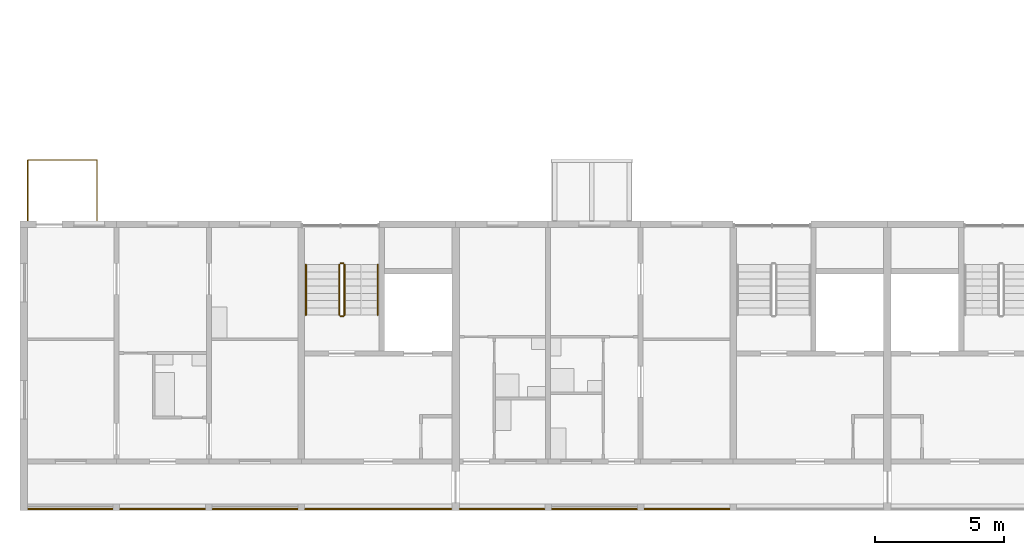
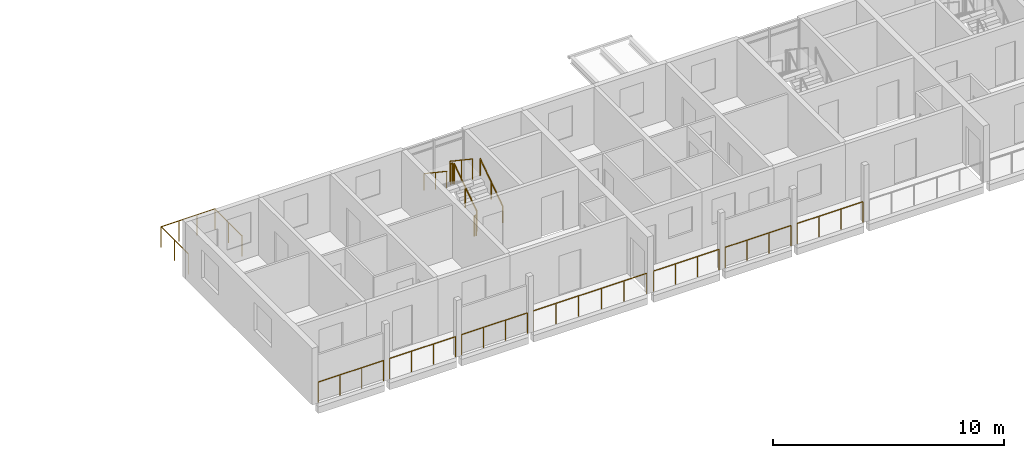
# One storey, part 73 of 94: 14 railings.
"""IFC4 building model written with IfcOpenShell, lengths in metres."""

from ifc_helpers import new_model, si_unit, direction, frame, origin, origin_2d, place, context, subcontext, project, spatial, circle, extrude, material, type_object, element, save


model = new_model("IFC4")

# Units and contexts
model_context = context("Model", 3, precision=1e-05, world=origin(), true_north=direction((0.0, 1.0)))
body_context = subcontext(model_context, "Body", "Model", "MODEL_VIEW")
ifc_project = project(units=[si_unit("LENGTHUNIT", "METRE"), si_unit("AREAUNIT", "SQUARE_METRE"), si_unit("VOLUMEUNIT", "CUBIC_METRE"), si_unit("PLANEANGLEUNIT", "RADIAN"), si_unit("MASSUNIT", "GRAM", prefix="KILO")], contexts=[model_context])

# Site, building, storey
site_placement = place(None, origin())
site = spatial("IfcSite", under=ifc_project, at=site_placement, CompositionType="ELEMENT")
building_placement = place(site_placement, origin())
building = spatial("IfcBuilding", under=site, at=building_placement, Name="Ridgestep Commons", CompositionType="ELEMENT")
storey_placement = place(building_placement, frame((0.0, 0.0, 24.0)))
storey = spatial("IfcBuildingStorey", under=building, at=storey_placement, Name="L08", CompositionType="ELEMENT", Elevation=24.0)

# Railings
ifc_material_1 = material(Name="Structural steel S355JR", Category="steel")
railing_type_1 = type_object("IfcRailingType", Name="Guard 1100", PredefinedType="GUARDRAIL", material=ifc_material_1)
railing_1_placement = place(storey_placement, frame((12.1708984375, 11.800048828125, 0.0)))
element("IfcRailing", 1, at=railing_1_placement, inside=storey, type_object=railing_type_1, Name="Gallery guard A 08.1", PredefinedType="GUARDRAIL", context=body_context, shape_type="SweptSolid", body=[
    extrude(circle(Radius=0.02392578125, at=origin_2d()), frame((0.0, 0.0, 1.076171875), z_axis=(1.0, 0.0, 0.0), x_axis=(0.0, 1.0, 0.0)), (0.0, 0.0, 1.0), 3.283203125),
    extrude(circle(Radius=0.02099609375, at=origin_2d()), origin(), (0.0, 0.0, 1.0), 1.052001953125),
    extrude(circle(Radius=0.02099609375, at=origin_2d()), frame((1.094482421875, 0.0, 0.0)), (0.0, 0.0, 1.0), 1.052001953125),
    extrude(circle(Radius=0.02099609375, at=origin_2d()), frame((2.188720703125, 0.0, 0.0)), (0.0, 0.0, 1.0), 1.052001953125),
    extrude(circle(Radius=0.02099609375, at=origin_2d()), frame((3.283203125, 0.0, 0.0)), (0.0, 0.0, 1.0), 1.052001953125),
])
railing_2_placement = place(storey_placement, frame((15.74609375, 11.800048828125, 0.0)))
element("IfcRailing", 2, at=railing_2_placement, inside=storey, type_object=railing_type_1, Name="Gallery guard A 08.2", PredefinedType="GUARDRAIL", context=body_context, shape_type="SweptSolid", body=[
    extrude(circle(Radius=0.02392578125, at=origin_2d()), frame((0.0, 0.0, 1.076171875), z_axis=(1.0, 0.0, 0.0), x_axis=(0.0, 1.0, 0.0)), (0.0, 0.0, 1.0), 3.307861328125),
    extrude(circle(Radius=0.02099609375, at=origin_2d()), origin(), (0.0, 0.0, 1.0), 1.052001953125),
    extrude(circle(Radius=0.02099609375, at=origin_2d()), frame((1.1025390625, 0.0, 0.0)), (0.0, 0.0, 1.0), 1.052001953125),
    extrude(circle(Radius=0.02099609375, at=origin_2d()), frame((2.205322265625, 0.0, 0.0)), (0.0, 0.0, 1.0), 1.052001953125),
    extrude(circle(Radius=0.02099609375, at=origin_2d()), frame((3.307861328125, 0.0, 0.0)), (0.0, 0.0, 1.0), 1.052001953125),
])
railing_3_placement = place(storey_placement, frame((19.345947265625, 11.800048828125, 0.0)))
element("IfcRailing", 3, at=railing_3_placement, inside=storey, type_object=railing_type_1, Name="Gallery guard A 08.3", PredefinedType="GUARDRAIL", context=body_context, shape_type="SweptSolid", body=[
    extrude(circle(Radius=0.02392578125, at=origin_2d()), frame((0.0, 0.0, 1.076171875), z_axis=(1.0, 0.0, 0.0), x_axis=(0.0, 1.0, 0.0)), (0.0, 0.0, 1.0), 3.30810546875),
    extrude(circle(Radius=0.02099609375, at=origin_2d()), origin(), (0.0, 0.0, 1.0), 1.052001953125),
    extrude(circle(Radius=0.02099609375, at=origin_2d()), frame((1.102783203125, 0.0, 0.0)), (0.0, 0.0, 1.0), 1.052001953125),
    extrude(circle(Radius=0.02099609375, at=origin_2d()), frame((2.205322265625, 0.0, 0.0)), (0.0, 0.0, 1.0), 1.052001953125),
    extrude(circle(Radius=0.02099609375, at=origin_2d()), frame((3.30810546875, 0.0, 0.0)), (0.0, 0.0, 1.0), 1.052001953125),
])
railing_4_placement = place(storey_placement, frame((22.946044921875, 11.800048828125, 0.0)))
element("IfcRailing", 4, at=railing_4_placement, inside=storey, type_object=railing_type_1, Name="Gallery guard A 08.4", PredefinedType="GUARDRAIL", context=body_context, shape_type="SweptSolid", body=[
    extrude(circle(Radius=0.02392578125, at=origin_2d()), frame((0.0, 0.0, 1.076171875), z_axis=(1.0, 0.0, 0.0), x_axis=(0.0, 1.0, 0.0)), (0.0, 0.0, 1.0), 5.682861328125),
    extrude(circle(Radius=0.02099609375, at=origin_2d()), origin(), (0.0, 0.0, 1.0), 1.052001953125),
    extrude(circle(Radius=0.02099609375, at=origin_2d()), frame((1.136474609375, 0.0, 0.0)), (0.0, 0.0, 1.0), 1.052001953125),
    extrude(circle(Radius=0.02099609375, at=origin_2d()), frame((2.273193359375, 0.0, 0.0)), (0.0, 0.0, 1.0), 1.052001953125),
    extrude(circle(Radius=0.02099609375, at=origin_2d()), frame((3.40966796875, 0.0, 0.0)), (0.0, 0.0, 1.0), 1.052001953125),
    extrude(circle(Radius=0.02099609375, at=origin_2d()), frame((4.54638671875, 0.0, 0.0)), (0.0, 0.0, 1.0), 1.052001953125),
    extrude(circle(Radius=0.02099609375, at=origin_2d()), frame((5.682861328125, 0.0, 0.0)), (0.0, 0.0, 1.0), 1.052001953125),
])
railing_5_placement = place(storey_placement, frame((28.970947265625, 11.800048828125, 0.0)))
element("IfcRailing", 5, at=railing_5_placement, inside=storey, type_object=railing_type_1, Name="Gallery guard A 08.5", PredefinedType="GUARDRAIL", context=body_context, shape_type="SweptSolid", body=[
    extrude(circle(Radius=0.02392578125, at=origin_2d()), frame((0.0, 0.0, 1.076171875), z_axis=(1.0, 0.0, 0.0), x_axis=(0.0, 1.0, 0.0)), (0.0, 0.0, 1.0), 3.282958984375),
    extrude(circle(Radius=0.02099609375, at=origin_2d()), origin(), (0.0, 0.0, 1.0), 1.052001953125),
    extrude(circle(Radius=0.02099609375, at=origin_2d()), frame((1.09423828125, 0.0, 0.0)), (0.0, 0.0, 1.0), 1.052001953125),
    extrude(circle(Radius=0.02099609375, at=origin_2d()), frame((2.188720703125, 0.0, 0.0)), (0.0, 0.0, 1.0), 1.052001953125),
    extrude(circle(Radius=0.02099609375, at=origin_2d()), frame((3.282958984375, 0.0, 0.0)), (0.0, 0.0, 1.0), 1.052001953125),
])
for number, where, name in (
    (6, (32.5458984375, 11.800048828125, 0.0), "Gallery guard A 08.6"),
    (7, (36.14599609375, 11.800048828125, 0.0), "Gallery guard A 08.7"),
):
    element("IfcRailing", number, at=place(storey_placement, frame(where)), inside=storey, type_object=railing_type_1, Name=name, PredefinedType="GUARDRAIL", context=body_context, shape_type="SweptSolid", body=[
        extrude(circle(Radius=0.02392578125, at=origin_2d()), frame((0.0, 0.0, 1.076171875), z_axis=(1.0, 0.0, 0.0), x_axis=(0.0, 1.0, 0.0)), (0.0, 0.0, 1.0), 3.30810546875),
        extrude(circle(Radius=0.02099609375, at=origin_2d()), origin(), (0.0, 0.0, 1.0), 1.052001953125),
        extrude(circle(Radius=0.02099609375, at=origin_2d()), frame((1.102783203125, 0.0, 0.0)), (0.0, 0.0, 1.0), 1.052001953125),
        extrude(circle(Radius=0.02099609375, at=origin_2d()), frame((2.205322265625, 0.0, 0.0)), (0.0, 0.0, 1.0), 1.052001953125),
        extrude(circle(Radius=0.02099609375, at=origin_2d()), frame((3.30810546875, 0.0, 0.0)), (0.0, 0.0, 1.0), 1.052001953125),
    ])
ifc_material_2 = material(Name="Structural steel S355JR", Category="steel")
railing_type_2 = type_object("IfcRailingType", Name="Stair guard 1100", PredefinedType="GUARDRAIL", material=ifc_material_2)
railing_6_placement = place(storey_placement, frame((24.47509765625, 19.35009765625, 0.1875)))
element("IfcRailing", 8, at=railing_6_placement, inside=storey, type_object=railing_type_2, Name="L08 A1C stair guard 1", PredefinedType="GUARDRAIL", context=body_context, shape_type="SweptSolid", body=[
    extrude(circle(Radius=0.02392578125, at=origin_2d()), frame((0.0, 0.0, 1.076171875), z_axis=(0.0, 0.830902050051, 0.556418712142), x_axis=(-1.0, 0.0, 0.0)), (0.0, 0.0, 1.0), 2.35888671875),
    extrude(circle(Radius=0.02099609375, at=origin_2d()), origin(), (0.0, 0.0, 1.0), 1.052001953125),
    extrude(circle(Radius=0.02099609375, at=origin_2d()), frame((0.0, 0.97998046875, 0.65625)), (0.0, 0.0, 1.0), 1.052001953125),
    extrude(circle(Radius=0.02099609375, at=origin_2d()), frame((0.0, 1.9599609375, 1.3125)), (0.0, 0.0, 1.0), 1.052001953125),
])
railing_7_placement = place(storey_placement, frame((24.425048828125, 21.360107421875, 1.5)))
element("IfcRailing", 9, at=railing_7_placement, inside=storey, type_object=railing_type_2, Name="L08 A1C stair guard 2", PredefinedType="GUARDRAIL", context=body_context, shape_type="SweptSolid", body=[
    extrude(circle(Radius=0.02392578125, at=origin_2d()), frame((0.0, 0.0, 1.076171875), z_axis=(-1.0, 0.0, 0.0), x_axis=(0.0, -1.0, 0.0)), (0.0, 0.0, 1.0), 0.10009765625),
    extrude(circle(Radius=0.02099609375, at=origin_2d()), origin(), (0.0, 0.0, 1.0), 1.052001953125),
    extrude(circle(Radius=0.02099609375, at=origin_2d()), frame((-0.10009765625, 0.0, 0.0)), (0.0, 0.0, 1.0), 1.052001953125),
])
railing_8_placement = place(storey_placement, frame((24.27490234375, 21.31005859375, 1.6875)))
element("IfcRailing", 10, at=railing_8_placement, inside=storey, type_object=railing_type_2, Name="L08 A1C stair guard 3", PredefinedType="GUARDRAIL", context=body_context, shape_type="SweptSolid", body=[
    extrude(circle(Radius=0.02392578125, at=origin_2d()), frame((0.0, 0.0, 1.076171875), z_axis=(0.0, -0.830902050051, 0.556418712142), x_axis=(1.0, 0.0, 0.0)), (0.0, 0.0, 1.0), 2.35888671875),
    extrude(circle(Radius=0.02099609375, at=origin_2d()), origin(), (0.0, 0.0, 1.0), 1.052001953125),
    extrude(circle(Radius=0.02099609375, at=origin_2d()), frame((0.0, -0.97998046875, 0.65625)), (0.0, 0.0, 1.0), 1.052001953125),
    extrude(circle(Radius=0.02099609375, at=origin_2d()), frame((0.0, -1.9599609375, 1.3125)), (0.0, 0.0, 1.0), 1.052001953125),
])
railing_9_placement = place(storey_placement, frame((24.425048828125, 19.300048828125, 0.0)))
element("IfcRailing", 11, at=railing_9_placement, inside=storey, type_object=railing_type_2, Name="L08 A1C stair guard 4", PredefinedType="GUARDRAIL", context=body_context, shape_type="SweptSolid", body=[
    extrude(circle(Radius=0.02392578125, at=origin_2d()), frame((0.0, 0.0, 1.076171875), z_axis=(-1.0, 0.0, 0.0), x_axis=(0.0, -1.0, 0.0)), (0.0, 0.0, 1.0), 0.10009765625),
    extrude(circle(Radius=0.02099609375, at=origin_2d()), origin(), (0.0, 0.0, 1.0), 1.052001953125),
    extrude(circle(Radius=0.02099609375, at=origin_2d()), frame((-0.10009765625, 0.0, 0.0)), (0.0, 0.0, 1.0), 1.052001953125),
])
ifc_material_3 = material(Name="Structural steel S355JR", Category="steel")
railing_type_3 = type_object("IfcRailingType", Name="Stair handrail 900", PredefinedType="HANDRAIL", material=ifc_material_3)
railing_10_placement = place(storey_placement, frame((25.77490234375, 19.35009765625, 0.1875)))
element("IfcRailing", 12, at=railing_10_placement, inside=storey, type_object=railing_type_3, Name="L08 A1C stair handrail 1", PredefinedType="HANDRAIL", context=body_context, shape_type="SweptSolid", body=[
    extrude(circle(Radius=0.02392578125, at=origin_2d()), frame((0.0, 0.0, 0.8759765625), z_axis=(0.0, 0.830902050051, 0.556418712142), x_axis=(-1.0, 0.0, 0.0)), (0.0, 0.0, 1.0), 2.35888671875),
    extrude(circle(Radius=0.02099609375, at=origin_2d()), origin(), (0.0, 0.0, 1.0), 0.851806640625),
    extrude(circle(Radius=0.02099609375, at=origin_2d()), frame((0.0, 0.97998046875, 0.65625)), (0.0, 0.0, 1.0), 0.851806640625),
    extrude(circle(Radius=0.02099609375, at=origin_2d()), frame((0.0, 1.9599609375, 1.3125)), (0.0, 0.0, 1.0), 0.851806640625),
])
railing_11_placement = place(storey_placement, frame((22.97509765625, 21.31005859375, 1.6875)))
element("IfcRailing", 13, at=railing_11_placement, inside=storey, type_object=railing_type_3, Name="L08 A1C stair handrail 2", PredefinedType="HANDRAIL", context=body_context, shape_type="SweptSolid", body=[
    extrude(circle(Radius=0.02392578125, at=origin_2d()), frame((0.0, 0.0, 0.8759765625), z_axis=(0.0, -0.830902050051, 0.556418712142), x_axis=(1.0, 0.0, 0.0)), (0.0, 0.0, 1.0), 2.35888671875),
    extrude(circle(Radius=0.02099609375, at=origin_2d()), origin(), (0.0, 0.0, 1.0), 0.851806640625),
    extrude(circle(Radius=0.02099609375, at=origin_2d()), frame((0.0, -0.97998046875, 0.65625)), (0.0, 0.0, 1.0), 0.851806640625),
    extrude(circle(Radius=0.02099609375, at=origin_2d()), frame((0.0, -1.9599609375, 1.3125)), (0.0, 0.0, 1.0), 0.851806640625),
])
ifc_material_4 = material(Name="Weathering steel S355J2W", Category="steel")
railing_type_4 = type_object("IfcRailingType", Name="Tray guard 1100", PredefinedType="GUARDRAIL", material=ifc_material_4)
railing_12_placement = place(storey_placement, frame((12.15087890625, 23.02099609375, 0.0)))
element("IfcRailing", 14, at=railing_12_placement, inside=storey, type_object=railing_type_4, Name="Tray guard A1T1-08", PredefinedType="GUARDRAIL", context=body_context, shape_type="SweptSolid", body=[
    extrude(circle(Radius=0.02392578125, at=origin_2d()), frame((0.0, 0.0, 1.076171875), z_axis=(0.0, 1.0, 0.0), x_axis=(-1.0, 0.0, 0.0)), (0.0, 0.0, 1.0), 2.35791015625),
    extrude(circle(Radius=0.02392578125, at=origin_2d()), frame((0.0, 2.35791015625, 1.076171875), z_axis=(1.0, 0.0, 0.0), x_axis=(0.0, 1.0, 0.0)), (0.0, 0.0, 1.0), 2.6982421875),
    extrude(circle(Radius=0.02392578125, at=origin_2d()), frame((2.6982421875, 2.35791015625, 1.076171875), z_axis=(0.0, -1.0, 0.0), x_axis=(1.0, 0.0, 0.0)), (0.0, 0.0, 1.0), 2.35791015625),
    extrude(circle(Radius=0.02099609375, at=origin_2d()), origin(), (0.0, 0.0, 1.0), 1.052001953125),
    extrude(circle(Radius=0.02099609375, at=origin_2d()), frame((0.0, 1.178955078125, 0.0)), (0.0, 0.0, 1.0), 1.052001953125),
    extrude(circle(Radius=0.02099609375, at=origin_2d()), frame((0.0, 2.35791015625, 0.0)), (0.0, 0.0, 1.0), 1.052001953125),
    extrude(circle(Radius=0.02099609375, at=origin_2d()), frame((0.8994140625, 2.35791015625, 0.0)), (0.0, 0.0, 1.0), 1.052001953125),
    extrude(circle(Radius=0.02099609375, at=origin_2d()), frame((1.798828125, 2.35791015625, 0.0)), (0.0, 0.0, 1.0), 1.052001953125),
    extrude(circle(Radius=0.02099609375, at=origin_2d()), frame((2.6982421875, 2.35791015625, 0.0)), (0.0, 0.0, 1.0), 1.052001953125),
    extrude(circle(Radius=0.02099609375, at=origin_2d()), frame((2.6982421875, 1.178955078125, 0.0)), (0.0, 0.0, 1.0), 1.052001953125),
    extrude(circle(Radius=0.02099609375, at=origin_2d()), frame((2.6982421875, 0.0, 0.0)), (0.0, 0.0, 1.0), 1.052001953125),
])

save(model, "model.ifc")
